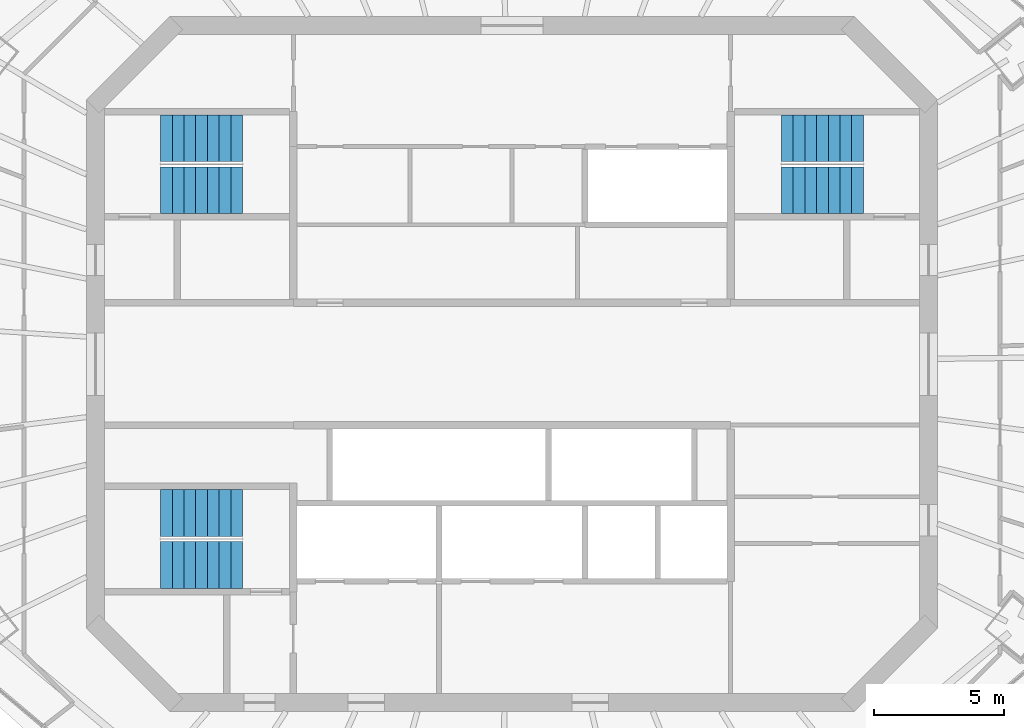
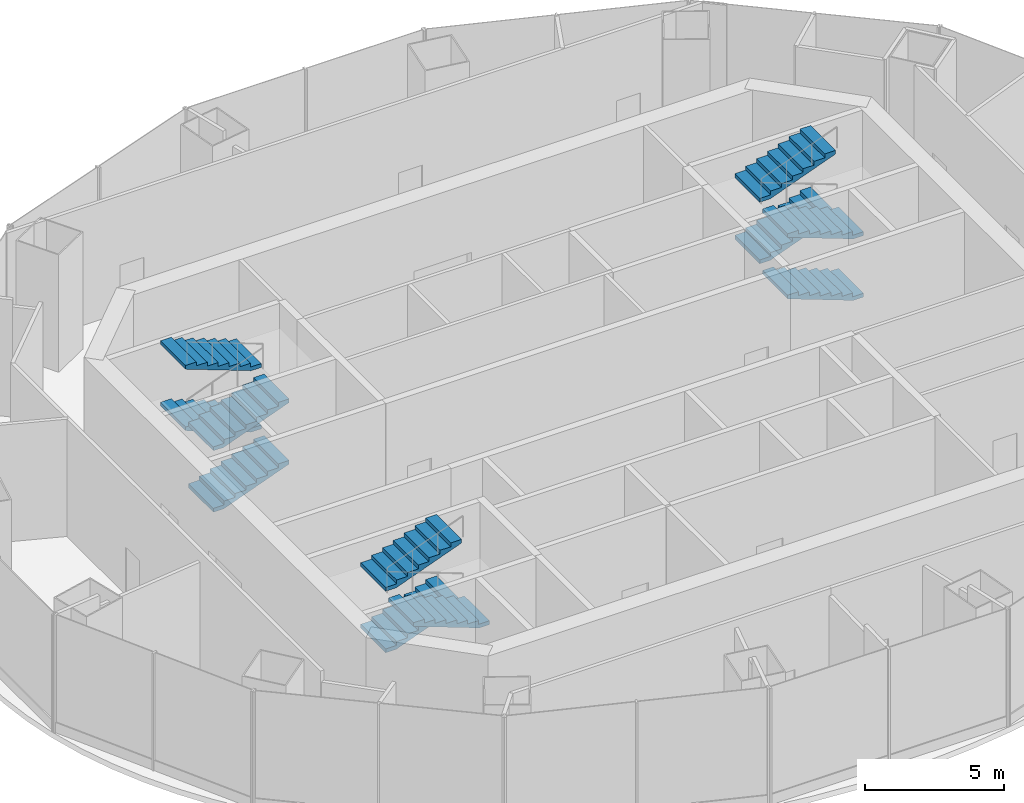
# One storey, part 10 of 11: 11 stair flights, 3 elements without a shape of their own.
"""IFC4 building model written with IfcOpenShell, lengths in metres."""

from ifc_helpers import new_model, si_unit, direction, frame, origin, place, context, subcontext, project, spatial, polyline, outline, extrude, material, type_object, element, aggregate, save


model = new_model("IFC4")

# Units and contexts
model_context = context("Model", 3, precision=1e-05, world=origin(), true_north=direction((0.0, 1.0)))
body_context = subcontext(model_context, "Body", "Model", "MODEL_VIEW")
ifc_project = project(units=[si_unit("LENGTHUNIT", "METRE"), si_unit("AREAUNIT", "SQUARE_METRE"), si_unit("VOLUMEUNIT", "CUBIC_METRE"), si_unit("PLANEANGLEUNIT", "RADIAN"), si_unit("MASSUNIT", "GRAM", prefix="KILO")], contexts=[model_context])

# Site, building, storey
site_placement = place(None, origin())
site = spatial("IfcSite", under=ifc_project, at=site_placement, CompositionType="ELEMENT")
building_placement = place(site_placement, origin())
building = spatial("IfcBuilding", under=site, at=building_placement, Name="Marenthal Gate Tower", CompositionType="ELEMENT")
storey_placement = place(building_placement, frame((0.0, 0.0, 396.550048828125)))
storey = spatial("IfcBuildingStorey", under=building, at=storey_placement, Name="L90", CompositionType="ELEMENT", Elevation=396.550048828125)

# Stair, stair flights
ifc_material_1 = material(Name="Concrete 40 MPa", Category="concrete")
stair_type = type_object("IfcStairType", Name="Exit stair 1800", PredefinedType="HALF_TURN_STAIR", material=ifc_material_1)
stair_1_placement = place(storey_placement, origin())
stair_1 = element("IfcStair", 1, at=stair_1_placement, inside=storey, type_object=stair_type, Name="Stair ST1", PredefinedType="HALF_TURN_STAIR")
ifc_material_2 = material(Name="Concrete 40 MPa", Category="concrete")
stair_flight_type = type_object("IfcStairFlightType", Name="Stair flight 1800", PredefinedType="STRAIGHT", material=ifc_material_2)
stair_flight_1_placement = place(storey_placement, frame((-13.5, 6.675048828125, 0.0), z_axis=(0.0, 0.0, 1.0), x_axis=(1.0, 0.0, 0.0)))
stair_flight_1 = element("IfcStairFlight", 2, at=stair_flight_1_placement, type_object=stair_flight_type, Name="ST1 flight 1", NumberOfRisers=8, NumberOfTreads=7, PredefinedType="STRAIGHT", RiserHeight=0.16875, TreadLength=0.45, context=body_context, shape_type="SweptSolid", body=[
    extrude(outline(polyline([(0.0, 0.0), (0.0, 0.168701171875), (0.449951171875, 0.168701171875), (0.449951171875, 0.33740234375), (0.89990234375, 0.33740234375), (0.89990234375, 0.50634765625), (1.35009765625, 0.50634765625), (1.35009765625, 0.675048828125), (1.800048828125, 0.675048828125), (1.800048828125, 0.84375), (2.25, 0.84375), (2.25, 1.012451171875), (2.699951171875, 1.012451171875), (2.699951171875, 1.18115234375), (3.14990234375, 1.18115234375), (3.14990234375, 1.35009765625), (3.14990234375, 1.021240234375), (0.427001953125, 0.0), (0.0, 0.0)])), frame((0.0, 0.89990234375, 0.0), z_axis=(0.0, -1.0, 0.0), x_axis=(1.0, 0.0, 0.0)), (0.0, 0.0, 1.0), 1.800048828125),
])
stair_flight_2_placement = place(storey_placement, frame((-10.35009765625, 8.675048828125, 1.349853515625), z_axis=(0.0, 0.0, 1.0), x_axis=(-1.0, 0.0, 0.0)))
stair_flight_2 = element("IfcStairFlight", 3, at=stair_flight_2_placement, type_object=stair_flight_type, Name="ST1 flight 2", NumberOfRisers=8, NumberOfTreads=7, PredefinedType="STRAIGHT", RiserHeight=0.16875, TreadLength=0.45, context=body_context, shape_type="SweptSolid", body=[
    extrude(outline(polyline([(0.0, 0.0), (0.0, 0.168701171875), (0.449951171875, 0.168701171875), (0.449951171875, 0.33740234375), (0.89990234375, 0.33740234375), (0.89990234375, 0.50634765625), (1.35009765625, 0.50634765625), (1.35009765625, 0.675048828125), (1.800048828125, 0.675048828125), (1.800048828125, 0.84375), (2.25, 0.84375), (2.25, 1.012451171875), (2.699951171875, 1.012451171875), (2.699951171875, 1.18115234375), (3.14990234375, 1.18115234375), (3.14990234375, 1.35009765625), (3.14990234375, 1.021240234375), (0.427001953125, 0.0), (0.0, 0.0)])), frame((0.0, 0.89990234375, 0.0), z_axis=(0.0, -1.0, 0.0), x_axis=(1.0, 0.0, 0.0)), (0.0, 0.0, 1.0), 1.800048828125),
])
stair_flight_3_placement = place(storey_placement, frame((-13.5, 6.675048828125, 2.699951171875), z_axis=(0.0, 0.0, 1.0), x_axis=(1.0, 0.0, 0.0)))
stair_flight_3 = element("IfcStairFlight", 4, at=stair_flight_3_placement, type_object=stair_flight_type, Name="ST1 flight 3", NumberOfRisers=8, NumberOfTreads=7, PredefinedType="STRAIGHT", RiserHeight=0.16875, TreadLength=0.45, context=body_context, shape_type="SweptSolid", body=[
    extrude(outline(polyline([(0.0, 0.0), (0.0, 0.168701171875), (0.449951171875, 0.168701171875), (0.449951171875, 0.33740234375), (0.89990234375, 0.33740234375), (0.89990234375, 0.50634765625), (1.35009765625, 0.50634765625), (1.35009765625, 0.675048828125), (1.800048828125, 0.675048828125), (1.800048828125, 0.84375), (2.25, 0.84375), (2.25, 1.012451171875), (2.699951171875, 1.012451171875), (2.699951171875, 1.18115234375), (3.14990234375, 1.18115234375), (3.14990234375, 1.35009765625), (3.14990234375, 1.021240234375), (0.427001953125, 0.0), (0.0, 0.0)])), frame((0.0, 0.89990234375, 0.0), z_axis=(0.0, -1.0, 0.0), x_axis=(1.0, 0.0, 0.0)), (0.0, 0.0, 1.0), 1.800048828125),
])
stair_flight_4_placement = place(storey_placement, frame((-10.35009765625, 8.675048828125, 4.050048828125), z_axis=(0.0, 0.0, 1.0), x_axis=(-1.0, 0.0, 0.0)))
stair_flight_4 = element("IfcStairFlight", 5, at=stair_flight_4_placement, type_object=stair_flight_type, Name="ST1 flight 4", NumberOfRisers=8, NumberOfTreads=7, PredefinedType="STRAIGHT", RiserHeight=0.16875, TreadLength=0.45, context=body_context, shape_type="SweptSolid", body=[
    extrude(outline(polyline([(0.0, 0.0), (0.0, 0.168701171875), (0.449951171875, 0.168701171875), (0.449951171875, 0.33740234375), (0.89990234375, 0.33740234375), (0.89990234375, 0.50634765625), (1.35009765625, 0.50634765625), (1.35009765625, 0.675048828125), (1.800048828125, 0.675048828125), (1.800048828125, 0.84375), (2.25, 0.84375), (2.25, 1.012451171875), (2.699951171875, 1.012451171875), (2.699951171875, 1.18115234375), (3.14990234375, 1.18115234375), (3.14990234375, 1.35009765625), (3.14990234375, 1.021240234375), (0.427001953125, 0.0), (0.0, 0.0)])), frame((0.0, 0.89990234375, 0.0), z_axis=(0.0, -1.0, 0.0), x_axis=(1.0, 0.0, 0.0)), (0.0, 0.0, 1.0), 1.800048828125),
])
aggregate(stair_1, [stair_flight_1, stair_flight_2, stair_flight_3, stair_flight_4])

stair_2_placement = place(storey_placement, origin())
stair_2 = element("IfcStair", 6, at=stair_2_placement, inside=storey, type_object=stair_type, Name="Stair ST2", PredefinedType="HALF_TURN_STAIR")
stair_flight_5_placement = place(storey_placement, frame((-13.5, -5.72509765625, 1.349853515625), z_axis=(0.0, 0.0, 1.0), x_axis=(1.0, 0.0, 0.0)))
stair_flight_5 = element("IfcStairFlight", 7, at=stair_flight_5_placement, type_object=stair_flight_type, Name="ST2 flight 2", NumberOfRisers=8, NumberOfTreads=7, PredefinedType="STRAIGHT", RiserHeight=0.16875, TreadLength=0.45, context=body_context, shape_type="SweptSolid", body=[
    extrude(outline(polyline([(0.0, 0.0), (0.0, 0.168701171875), (0.449951171875, 0.168701171875), (0.449951171875, 0.33740234375), (0.89990234375, 0.33740234375), (0.89990234375, 0.50634765625), (1.35009765625, 0.50634765625), (1.35009765625, 0.675048828125), (1.800048828125, 0.675048828125), (1.800048828125, 0.84375), (2.25, 0.84375), (2.25, 1.012451171875), (2.699951171875, 1.012451171875), (2.699951171875, 1.18115234375), (3.14990234375, 1.18115234375), (3.14990234375, 1.35009765625), (3.14990234375, 1.021240234375), (0.427001953125, 0.0), (0.0, 0.0)])), frame((0.0, 0.89990234375, 0.0), z_axis=(0.0, -1.0, 0.0), x_axis=(1.0, 0.0, 0.0)), (0.0, 0.0, 1.0), 1.800048828125),
])
stair_flight_6_placement = place(storey_placement, frame((-10.35009765625, -7.72509765625, 2.699951171875), z_axis=(0.0, 0.0, 1.0), x_axis=(-1.0, 0.0, 0.0)))
stair_flight_6 = element("IfcStairFlight", 8, at=stair_flight_6_placement, type_object=stair_flight_type, Name="ST2 flight 3", NumberOfRisers=8, NumberOfTreads=7, PredefinedType="STRAIGHT", RiserHeight=0.16875, TreadLength=0.45, context=body_context, shape_type="SweptSolid", body=[
    extrude(outline(polyline([(0.0, 0.0), (0.0, 0.168701171875), (0.449951171875, 0.168701171875), (0.449951171875, 0.33740234375), (0.89990234375, 0.33740234375), (0.89990234375, 0.50634765625), (1.35009765625, 0.50634765625), (1.35009765625, 0.675048828125), (1.800048828125, 0.675048828125), (1.800048828125, 0.84375), (2.25, 0.84375), (2.25, 1.012451171875), (2.699951171875, 1.012451171875), (2.699951171875, 1.18115234375), (3.14990234375, 1.18115234375), (3.14990234375, 1.35009765625), (3.14990234375, 1.021240234375), (0.427001953125, 0.0), (0.0, 0.0)])), frame((0.0, 0.89990234375, 0.0), z_axis=(0.0, -1.0, 0.0), x_axis=(1.0, 0.0, 0.0)), (0.0, 0.0, 1.0), 1.800048828125),
])
stair_flight_7_placement = place(storey_placement, frame((-13.5, -5.72509765625, 4.050048828125), z_axis=(0.0, 0.0, 1.0), x_axis=(1.0, 0.0, 0.0)))
stair_flight_7 = element("IfcStairFlight", 9, at=stair_flight_7_placement, type_object=stair_flight_type, Name="ST2 flight 4", NumberOfRisers=8, NumberOfTreads=7, PredefinedType="STRAIGHT", RiserHeight=0.16875, TreadLength=0.45, context=body_context, shape_type="SweptSolid", body=[
    extrude(outline(polyline([(0.0, 0.0), (0.0, 0.168701171875), (0.449951171875, 0.168701171875), (0.449951171875, 0.33740234375), (0.89990234375, 0.33740234375), (0.89990234375, 0.50634765625), (1.35009765625, 0.50634765625), (1.35009765625, 0.675048828125), (1.800048828125, 0.675048828125), (1.800048828125, 0.84375), (2.25, 0.84375), (2.25, 1.012451171875), (2.699951171875, 1.012451171875), (2.699951171875, 1.18115234375), (3.14990234375, 1.18115234375), (3.14990234375, 1.35009765625), (3.14990234375, 1.021240234375), (0.427001953125, 0.0), (0.0, 0.0)])), frame((0.0, 0.89990234375, 0.0), z_axis=(0.0, -1.0, 0.0), x_axis=(1.0, 0.0, 0.0)), (0.0, 0.0, 1.0), 1.800048828125),
])
aggregate(stair_2, [stair_flight_5, stair_flight_6, stair_flight_7])

stair_3_placement = place(storey_placement, origin())
stair_3 = element("IfcStair", 10, at=stair_3_placement, inside=storey, type_object=stair_type, Name="Stair ST3", PredefinedType="HALF_TURN_STAIR")
stair_flight_8_placement = place(storey_placement, frame((13.5, 6.675048828125, 0.0), z_axis=(0.0, 0.0, 1.0), x_axis=(-1.0, 0.0, 0.0)))
stair_flight_8 = element("IfcStairFlight", 11, at=stair_flight_8_placement, type_object=stair_flight_type, Name="ST3 flight 1", NumberOfRisers=8, NumberOfTreads=7, PredefinedType="STRAIGHT", RiserHeight=0.16875, TreadLength=0.45, context=body_context, shape_type="SweptSolid", body=[
    extrude(outline(polyline([(0.0, 0.0), (0.0, 0.168701171875), (0.449951171875, 0.168701171875), (0.449951171875, 0.33740234375), (0.89990234375, 0.33740234375), (0.89990234375, 0.50634765625), (1.35009765625, 0.50634765625), (1.35009765625, 0.675048828125), (1.800048828125, 0.675048828125), (1.800048828125, 0.84375), (2.25, 0.84375), (2.25, 1.012451171875), (2.699951171875, 1.012451171875), (2.699951171875, 1.18115234375), (3.14990234375, 1.18115234375), (3.14990234375, 1.35009765625), (3.14990234375, 1.021240234375), (0.427001953125, 0.0), (0.0, 0.0)])), frame((0.0, 0.89990234375, 0.0), z_axis=(0.0, -1.0, 0.0), x_axis=(1.0, 0.0, 0.0)), (0.0, 0.0, 1.0), 1.800048828125),
])
stair_flight_9_placement = place(storey_placement, frame((10.35009765625, 8.675048828125, 1.349853515625), z_axis=(0.0, 0.0, 1.0), x_axis=(1.0, 0.0, 0.0)))
stair_flight_9 = element("IfcStairFlight", 12, at=stair_flight_9_placement, type_object=stair_flight_type, Name="ST3 flight 2", NumberOfRisers=8, NumberOfTreads=7, PredefinedType="STRAIGHT", RiserHeight=0.16875, TreadLength=0.45, context=body_context, shape_type="SweptSolid", body=[
    extrude(outline(polyline([(0.0, 0.0), (0.0, 0.168701171875), (0.449951171875, 0.168701171875), (0.449951171875, 0.33740234375), (0.89990234375, 0.33740234375), (0.89990234375, 0.50634765625), (1.35009765625, 0.50634765625), (1.35009765625, 0.675048828125), (1.800048828125, 0.675048828125), (1.800048828125, 0.84375), (2.25, 0.84375), (2.25, 1.012451171875), (2.699951171875, 1.012451171875), (2.699951171875, 1.18115234375), (3.14990234375, 1.18115234375), (3.14990234375, 1.35009765625), (3.14990234375, 1.021240234375), (0.427001953125, 0.0), (0.0, 0.0)])), frame((0.0, 0.89990234375, 0.0), z_axis=(0.0, -1.0, 0.0), x_axis=(1.0, 0.0, 0.0)), (0.0, 0.0, 1.0), 1.800048828125),
])
stair_flight_10_placement = place(storey_placement, frame((13.5, 6.675048828125, 2.699951171875), z_axis=(0.0, 0.0, 1.0), x_axis=(-1.0, 0.0, 0.0)))
stair_flight_10 = element("IfcStairFlight", 13, at=stair_flight_10_placement, type_object=stair_flight_type, Name="ST3 flight 3", NumberOfRisers=8, NumberOfTreads=7, PredefinedType="STRAIGHT", RiserHeight=0.16875, TreadLength=0.45, context=body_context, shape_type="SweptSolid", body=[
    extrude(outline(polyline([(0.0, 0.0), (0.0, 0.168701171875), (0.449951171875, 0.168701171875), (0.449951171875, 0.33740234375), (0.89990234375, 0.33740234375), (0.89990234375, 0.50634765625), (1.35009765625, 0.50634765625), (1.35009765625, 0.675048828125), (1.800048828125, 0.675048828125), (1.800048828125, 0.84375), (2.25, 0.84375), (2.25, 1.012451171875), (2.699951171875, 1.012451171875), (2.699951171875, 1.18115234375), (3.14990234375, 1.18115234375), (3.14990234375, 1.35009765625), (3.14990234375, 1.021240234375), (0.427001953125, 0.0), (0.0, 0.0)])), frame((0.0, 0.89990234375, 0.0), z_axis=(0.0, -1.0, 0.0), x_axis=(1.0, 0.0, 0.0)), (0.0, 0.0, 1.0), 1.800048828125),
])
stair_flight_11_placement = place(storey_placement, frame((10.35009765625, 8.675048828125, 4.050048828125), z_axis=(0.0, 0.0, 1.0), x_axis=(1.0, 0.0, 0.0)))
stair_flight_11 = element("IfcStairFlight", 14, at=stair_flight_11_placement, type_object=stair_flight_type, Name="ST3 flight 4", NumberOfRisers=8, NumberOfTreads=7, PredefinedType="STRAIGHT", RiserHeight=0.16875, TreadLength=0.45, context=body_context, shape_type="SweptSolid", body=[
    extrude(outline(polyline([(0.0, 0.0), (0.0, 0.168701171875), (0.449951171875, 0.168701171875), (0.449951171875, 0.33740234375), (0.89990234375, 0.33740234375), (0.89990234375, 0.50634765625), (1.35009765625, 0.50634765625), (1.35009765625, 0.675048828125), (1.800048828125, 0.675048828125), (1.800048828125, 0.84375), (2.25, 0.84375), (2.25, 1.012451171875), (2.699951171875, 1.012451171875), (2.699951171875, 1.18115234375), (3.14990234375, 1.18115234375), (3.14990234375, 1.35009765625), (3.14990234375, 1.021240234375), (0.427001953125, 0.0), (0.0, 0.0)])), frame((0.0, 0.89990234375, 0.0), z_axis=(0.0, -1.0, 0.0), x_axis=(1.0, 0.0, 0.0)), (0.0, 0.0, 1.0), 1.800048828125),
])
aggregate(stair_3, [stair_flight_8, stair_flight_9, stair_flight_10, stair_flight_11])

save(model, "model.ifc")
